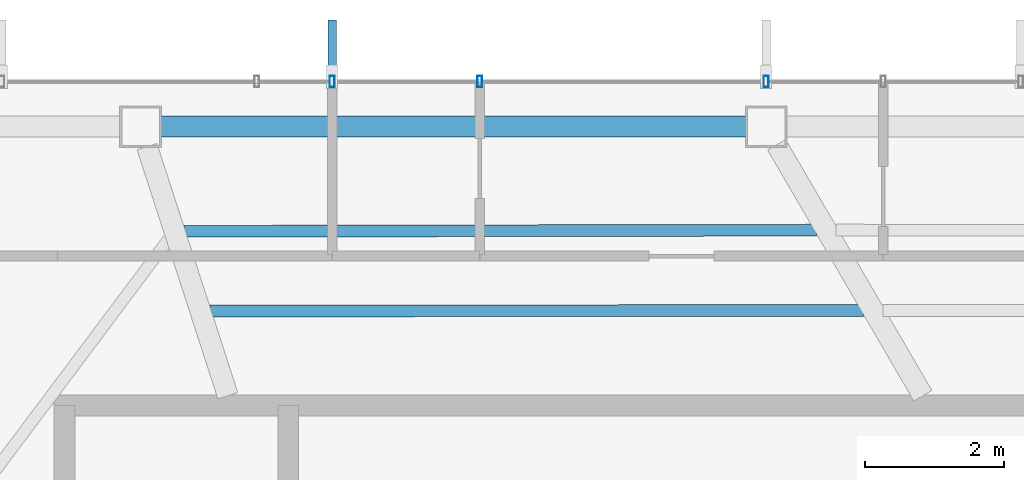
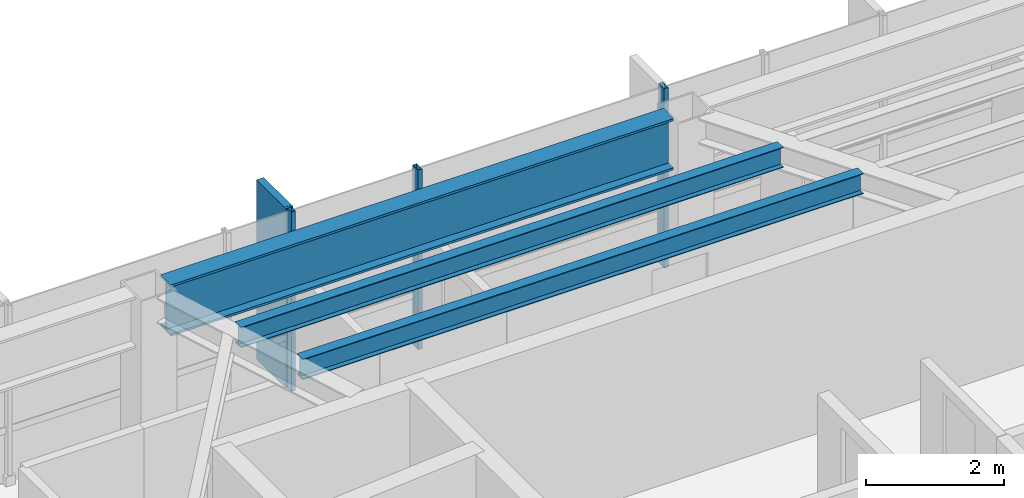
# One storey, part 12 of 25: 4 members, 3 beams, 1 element without a shape of its own.
"""IFC4 building model written with IfcOpenShell, lengths in metres."""

from ifc_helpers import new_model, si_unit, direction, frame, origin, origin_2d, place, context, subcontext, project, spatial, rectangle, hollow_rectangle, i_section, extrude, material, layer, layer_set, material_profile, profile_set, type_object, element, aggregate, save


model = new_model("IFC4")

# Units and contexts
model_context = context("Model", 3, precision=1e-05, world=origin(), true_north=direction((0.0, 1.0)))
body_context = subcontext(model_context, "Body", "Model", "MODEL_VIEW")
ifc_project = project(units=[si_unit("LENGTHUNIT", "METRE"), si_unit("AREAUNIT", "SQUARE_METRE"), si_unit("VOLUMEUNIT", "CUBIC_METRE"), si_unit("PLANEANGLEUNIT", "RADIAN"), si_unit("MASSUNIT", "GRAM", prefix="KILO")], contexts=[model_context])

# Site, building, storey
site_placement = place(None, origin())
site = spatial("IfcSite", under=ifc_project, at=site_placement, CompositionType="ELEMENT")
building_placement = place(site_placement, origin())
building = spatial("IfcBuilding", under=site, at=building_placement, Name="Zarrinselat Tower", CompositionType="ELEMENT")
storey_placement = place(building_placement, frame((0.0, 0.0, 242.760009765625)))
storey = spatial("IfcBuildingStorey", under=building, at=storey_placement, Name="L61", CompositionType="ELEMENT", Elevation=242.760009765625)

# Beams
ifc_material_1 = material(Name="Steel S460M", Category="steel")
ifc_material_profile_1 = material_profile(ifc_material_1, i_section(OverallWidth=0.302001953125, OverallDepth=0.909912109375, WebThickness=0.02099609375, FlangeThickness=0.0400390625, at=origin_2d()), Name="HEM 900")
ifc_profile_set_1 = profile_set([ifc_material_profile_1], Name="Steel S460M")
beam_type_1 = type_object("IfcBeamType", Name="BM-HEM900", PredefinedType="BEAM", material=ifc_profile_set_1)
beam_1_placement = place(storey_placement, frame((30.0322265625, 47.4111328125, 2.72509765625), z_axis=(1.0, 0.0, 0.0), x_axis=(0.0, 1.0, 0.0)))
element("IfcBeam", 1, at=beam_1_placement, inside=storey, type_object=beam_type_1, Name="L61 Perimeter Spandrel Girder SP03", PredefinedType="BEAM", context=body_context, shape_type="SweptSolid", body=[
    extrude(i_section(OverallWidth=0.302001953125, OverallDepth=0.909912109375, WebThickness=0.02099609375, FlangeThickness=0.0400390625, at=origin_2d()), origin(), (0.0, 0.0, 1.0), 8.424560546875),
])
ifc_material_2 = material(Name="Steel S355J2", Category="steel")
ifc_material_profile_2 = material_profile(ifc_material_2, i_section(OverallWidth=0.169921875, OverallDepth=0.360107421875, WebThickness=0.008056640625, FlangeThickness=0.0126953125, at=origin_2d()), Name="IPE 360")
ifc_profile_set_2 = profile_set([ifc_material_profile_2], Name="Steel S355J2")
beam_type_2 = type_object("IfcBeamType", Name="BM-IPE360", PredefinedType="JOIST", material=ifc_profile_set_2)
beam_2_placement = place(storey_placement, frame((30.372802734375, 45.905517578125, 3.0), z_axis=(0.999998236213, 0.001878182896, 0.0), x_axis=(-0.001878182896, 0.999998236213, 0.0)))
element("IfcBeam", 2, at=beam_2_placement, inside=storey, type_object=beam_type_2, Name="L61 Composite Floor Joist 8-1", PredefinedType="JOIST", context=body_context, shape_type="SweptSolid", body=[
    extrude(i_section(OverallWidth=0.169921875, OverallDepth=0.360107421875, WebThickness=0.008056640625, FlangeThickness=0.0126953125, at=origin_2d()), origin(), (0.0, 0.0, 1.0), 9.09912109375),
])
beam_3_placement = place(storey_placement, frame((30.74462890625, 44.758544921875, 3.0), z_axis=(0.999999562918, 0.000934967387, 0.0), x_axis=(-0.000934967387, 0.999999562918, 0.0)))
element("IfcBeam", 3, at=beam_3_placement, inside=storey, type_object=beam_type_2, Name="L61 Composite Floor Joist 8-2", PredefinedType="JOIST", context=body_context, shape_type="SweptSolid", body=[
    extrude(i_section(OverallWidth=0.169921875, OverallDepth=0.360107421875, WebThickness=0.008056640625, FlangeThickness=0.0126953125, at=origin_2d()), origin(), (0.0, 0.0, 1.0), 9.400390625),
])

# Curtain wall, members
ifc_material_3 = material(Name="Extruded Aluminium Alloy EN AW-6063 T6", Category="aluminium")
ifc_layer = layer(ifc_material_3, 0.169921875)
ifc_layer_set = layer_set([ifc_layer], Name="Extruded Aluminium Alloy EN AW-6063 T6")
curtain_wall_type = type_object("IfcCurtainWallType", Name="CWS-RES", PredefinedType="NOTDEFINED", material=ifc_layer_set)
curtain_wall_placement = place(storey_placement, origin())
curtain_wall = element("IfcCurtainWall", 4, at=curtain_wall_placement, inside=storey, type_object=curtain_wall_type, Name="L61 Unitised Curtain Wall CW-L61-E01", PredefinedType="NOTDEFINED")
ifc_material_4 = material(Name="Extruded Aluminium Alloy EN AW-6063 T6", Category="aluminium")
ifc_material_profile_3 = material_profile(ifc_material_4, hollow_rectangle(XDim=0.070068359375, YDim=0.159912109375, WallThickness=0.00390625, at=origin_2d()), Name="RHS 160x70x4")
ifc_profile_set_3 = profile_set([ifc_material_profile_3], Name="Extruded Aluminium Alloy EN AW-6063 T6")
member_type_1 = type_object("IfcMemberType", Name="MEM-CW-MUL2", PredefinedType="MULLION", material=ifc_profile_set_3)
member_1_placement = place(storey_placement, frame((38.744873046875, 48.06103515625, 0.0), z_axis=(0.0, 0.0, 1.0), x_axis=(-1.0, 0.0, 0.0)))
member_1 = element("IfcMember", 5, at=member_1_placement, type_object=member_type_1, Name="CW-L61-E01 Mullion 7", PredefinedType="MULLION", context=body_context, shape_type="SweptSolid", body=[
    extrude(hollow_rectangle(XDim=0.070068359375, YDim=0.159912109375, WallThickness=0.00390625, at=origin_2d()), origin(), (0.0, 0.0, 1.0), 3.179931640625),
])
member_2_placement = place(storey_placement, frame((34.6240234375, 48.06103515625, 0.0), z_axis=(0.0, 0.0, 1.0), x_axis=(-1.0, 0.0, 0.0)))
member_2 = element("IfcMember", 6, at=member_2_placement, type_object=member_type_1, Name="CW-L61-E01 Mullion 8", PredefinedType="MULLION", context=body_context, shape_type="SweptSolid", body=[
    extrude(hollow_rectangle(XDim=0.070068359375, YDim=0.159912109375, WallThickness=0.00390625, at=origin_2d()), origin(), (0.0, 0.0, 1.0), 3.179931640625),
])
member_3_placement = place(storey_placement, frame((32.5, 48.06103515625, 0.0), z_axis=(0.0, 0.0, 1.0), x_axis=(-1.0, 0.0, 0.0)))
member_3 = element("IfcMember", 7, at=member_3_placement, type_object=member_type_1, Name="CW-L61-E01 Mullion 9", PredefinedType="MULLION", context=body_context, shape_type="SweptSolid", body=[
    extrude(hollow_rectangle(XDim=0.070068359375, YDim=0.159912109375, WallThickness=0.00390625, at=origin_2d()), origin(), (0.0, 0.0, 1.0), 3.179931640625),
])
ifc_material_5 = material(Name="Honed Cream Travertine Stone", Category="masonry")
ifc_material_profile_4 = material_profile(ifc_material_5, rectangle(XDim=0.1201171875, YDim=0.85009765625, at=origin_2d()), Name="FIN 850x120")
ifc_profile_set_4 = profile_set([ifc_material_profile_4], Name="Honed Cream Travertine Stone")
member_type_2 = type_object("IfcMemberType", Name="MEM-STONE-FIN", PredefinedType="USERDEFINED", material=ifc_profile_set_4)
member_4_placement = place(storey_placement, frame((32.5, 48.52099609375, 0.0), z_axis=(0.0, 0.0, 1.0), x_axis=(1.0, 0.0, 0.0)))
member_4 = element("IfcMember", 8, at=member_4_placement, type_object=member_type_2, Name="L61 Stone Shading Fin CW-L61-E01-09", ObjectType="FIN", PredefinedType="USERDEFINED", context=body_context, shape_type="SweptSolid", body=[
    extrude(rectangle(XDim=0.1201171875, YDim=0.85009765625, at=origin_2d()), origin(), (0.0, 0.0, 1.0), 3.179931640625),
])
aggregate(curtain_wall, [member_1, member_2, member_3, member_4])

save(model, "model.ifc")
